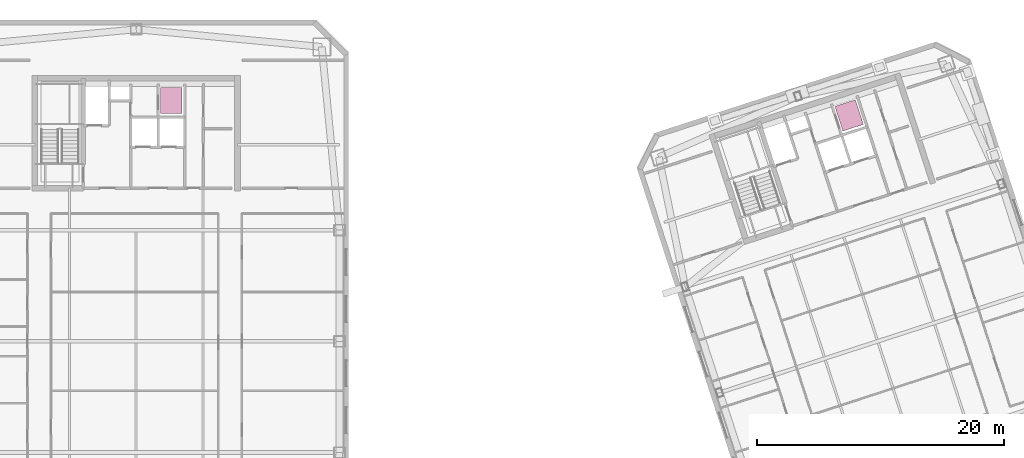
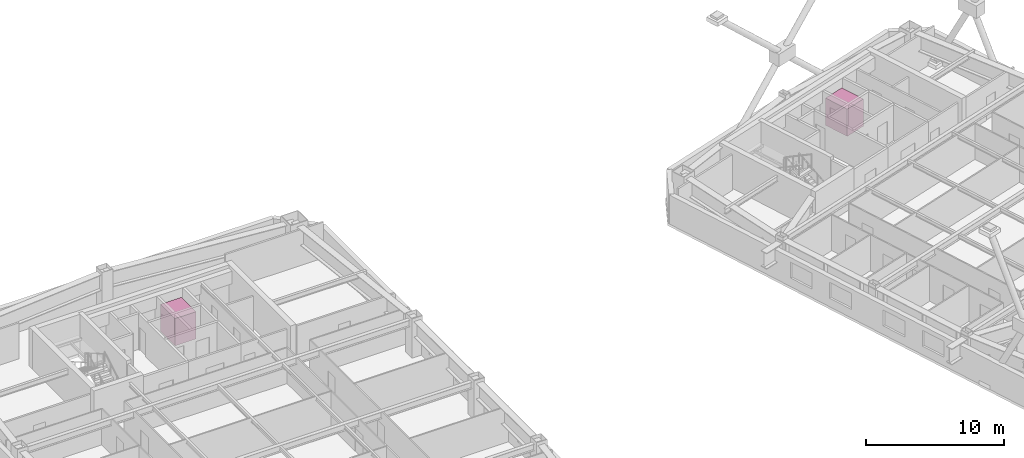
# One storey, part 15 of 15: 2 transport elements.
"""IFC4 building model written with IfcOpenShell, lengths in metres."""

from ifc_helpers import new_model, si_unit, direction, frame, origin, origin_2d, place, context, subcontext, project, spatial, rectangle, extrude, material, type_object, element, save


model = new_model("IFC4")

# Units and contexts
model_context = context("Model", 3, precision=1e-05, world=origin(), true_north=direction((0.0, 1.0)))
body_context = subcontext(model_context, "Body", "Model", "MODEL_VIEW")
ifc_project = project(units=[si_unit("LENGTHUNIT", "METRE"), si_unit("AREAUNIT", "SQUARE_METRE"), si_unit("VOLUMEUNIT", "CUBIC_METRE"), si_unit("PLANEANGLEUNIT", "RADIAN"), si_unit("MASSUNIT", "GRAM", prefix="KILO")], contexts=[model_context])

# Site, building, storey
site_placement = place(None, origin())
site = spatial("IfcSite", under=ifc_project, at=site_placement, CompositionType="ELEMENT")
building_placement = place(site_placement, origin())
building = spatial("IfcBuilding", under=site, at=building_placement, Name="Qiaolan Cultural Towers", CompositionType="ELEMENT")
storey_placement = place(building_placement, frame((0.0, 0.0, 212.75)))
storey = spatial("IfcBuildingStorey", under=building, at=storey_placement, Name="L57", CompositionType="ELEMENT", Elevation=212.75)

# Transport elements
ifc_material = material(Name="Stainless Steel S30408 High-Speed Passenger Lift Car", Category="steel")
transport_element_type = type_object("IfcTransportElementType", Name="LFT-PASS-1600", PredefinedType="ELEVATOR", material=ifc_material)
for number, where, z_axis, x_axis, name in (
    (1, (32.85009765625, 53.5, 0.0), (0.0, 0.0, 1.0), (1.0, 0.0, 0.0), "High-Rise Shuttle Lift PL-T1-H1"),
    (2, (87.68798828125, 52.2802734375, 0.0), (0.0, 0.0, 1.0), (0.951056516295, 0.309016994375, 0.0), "High-Rise Shuttle Lift PL-T2-H1"),
):
    element("IfcTransportElement", number, at=place(storey_placement, frame(where, z_axis=z_axis, x_axis=x_axis)), inside=storey, type_object=transport_element_type, Name=name, PredefinedType="ELEVATOR", context=body_context, shape_type="SweptSolid", body=[
        extrude(rectangle(XDim=1.75, YDim=2.10009765625, at=origin_2d()), origin(), (0.0, 0.0, 1.0), 2.39990234375),
    ])

save(model, "model.ifc")
